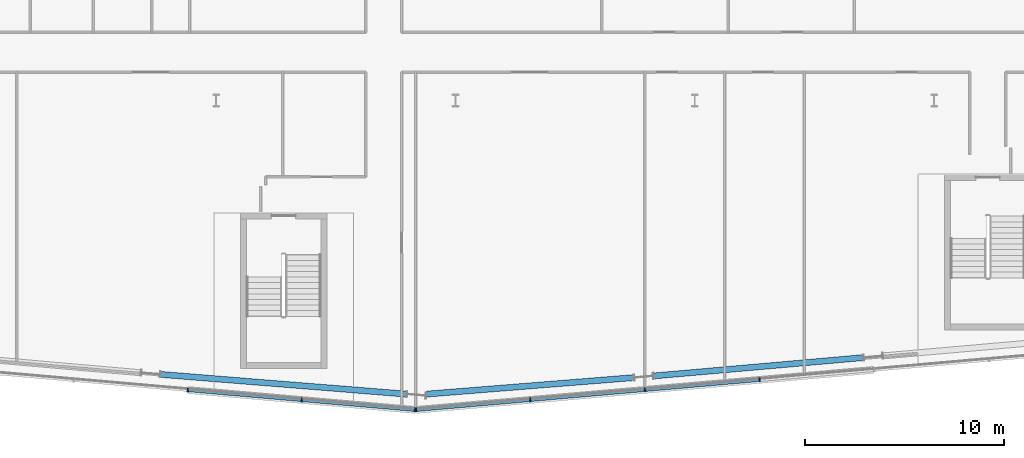
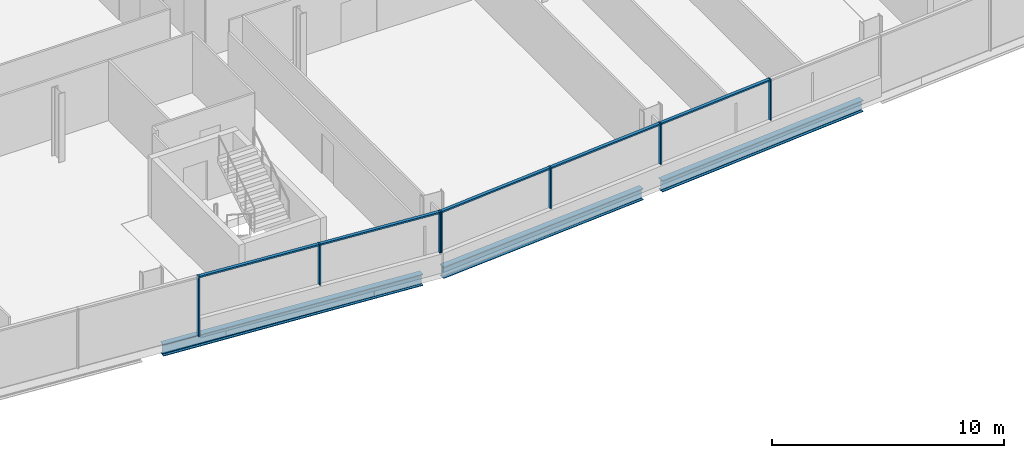
# One storey, part 6 of 24: 12 members, 3 beams, 2 elements without a shape of their own.
"""IFC4 building model written with IfcOpenShell, lengths in metres."""

from ifc_helpers import new_model, si_unit, direction, frame, origin, origin_2d, place, context, subcontext, project, spatial, rectangle, i_section, extrude, material, material_profile, profile_set, type_object, element, aggregate, save


model = new_model("IFC4")

# Units and contexts
model_context = context("Model", 3, precision=1e-05, world=origin(), true_north=direction((0.0, 1.0)))
body_context = subcontext(model_context, "Body", "Model", "MODEL_VIEW")
ifc_project = project(units=[si_unit("LENGTHUNIT", "METRE"), si_unit("AREAUNIT", "SQUARE_METRE"), si_unit("VOLUMEUNIT", "CUBIC_METRE"), si_unit("PLANEANGLEUNIT", "RADIAN"), si_unit("MASSUNIT", "GRAM", prefix="KILO")], contexts=[model_context])

# Site, building, storey
site_placement = place(None, origin())
site = spatial("IfcSite", under=ifc_project, at=site_placement, CompositionType="ELEMENT")
building_placement = place(site_placement, origin())
building = spatial("IfcBuilding", under=site, at=building_placement, Name="Wharfspan Tower", CompositionType="ELEMENT")
storey_placement = place(building_placement, frame((0.0, 0.0, 88.300049)))
storey = spatial("IfcBuildingStorey", under=building, at=storey_placement, Name="L19", CompositionType="ELEMENT", Elevation=88.300049)

# Beams
ifc_material_1 = material(Name="Steel S355J2", Category="steel")
ifc_material_profile_1 = material_profile(ifc_material_1, i_section(OverallWidth=0.300049, OverallDepth=0.600098, WebThickness=0.015381, FlangeThickness=0.030029, FilletRadius=0.0271, at=origin_2d()))
ifc_profile_set_1 = profile_set([ifc_material_profile_1], Name="Steel S355J2")
beam_type = type_object("IfcBeamType", Name="Edge beam HEB 600", PredefinedType="SPANDREL", material=ifc_profile_set_1)
beam_1_placement = place(storey_placement, frame((33.222656, -2.240479, -0.699951), z_axis=(0.996802, -0.079913, 0.0), x_axis=(0.079913, 0.996802, 0.0)))
element("IfcBeam", 1, at=beam_1_placement, inside=storey, type_object=beam_type, Name="Edge beam S1 L19 PS1.3 to PS1.4", PredefinedType="SPANDREL", context=body_context, shape_type="SweptSolid", body=[
    extrude(i_section(OverallWidth=0.300049, OverallDepth=0.600098, WebThickness=0.015381, FlangeThickness=0.030029, FilletRadius=0.0271, at=origin_2d()), origin(), (0.0, 0.0, 1.0), 12.36084),
])
beam_2_placement = place(storey_placement, frame((46.547852, -3.228027, -0.699951), z_axis=(0.996848, 0.079335, 0.0), x_axis=(-0.079335, 0.996848, 0.0)))
element("IfcBeam", 2, at=beam_2_placement, inside=storey, type_object=beam_type, Name="Edge beam S2 L19 PS1.4 to PS2.1", PredefinedType="SPANDREL", context=body_context, shape_type="SweptSolid", body=[
    extrude(i_section(OverallWidth=0.300049, OverallDepth=0.600098, WebThickness=0.015381, FlangeThickness=0.030029, FilletRadius=0.0271, at=origin_2d()), origin(), (0.0, 0.0, 1.0), 10.429199),
])
beam_3_placement = place(storey_placement, frame((57.940674, -2.317383, -0.699951), z_axis=(0.996195, 0.087155, 0.0), x_axis=(-0.087155, 0.996195, 0.0)))
element("IfcBeam", 3, at=beam_3_placement, inside=storey, type_object=beam_type, Name="Edge beam S2 L19 PS2.1 to PS2.2", PredefinedType="SPANDREL", context=body_context, shape_type="SweptSolid", body=[
    extrude(i_section(OverallWidth=0.300049, OverallDepth=0.600098, WebThickness=0.015381, FlangeThickness=0.030029, FilletRadius=0.0271, at=origin_2d()), origin(), (0.0, 0.0, 1.0), 10.543701),
])

# Curtain wall, members
ifc_material_2 = material(Name="Aluminium 6063-T6", Category="aluminium")
curtain_wall_type = type_object("IfcCurtainWallType", Name="CURTAIN WALL FACETED FRONT", PredefinedType="NOTDEFINED", material=ifc_material_2)
curtain_wall_1_placement = place(storey_placement, origin())
curtain_wall_1 = element("IfcCurtainWall", 4, at=curtain_wall_1_placement, inside=storey, type_object=curtain_wall_type, Name="Curtain wall S1", PredefinedType="NOTDEFINED")
ifc_material_profile_2 = material_profile(ifc_material_2, rectangle(XDim=0.199951, YDim=0.060059, at=origin_2d()))
ifc_profile_set_2 = profile_set([ifc_material_profile_2], Name="Aluminium 6063-T6")
member_type_1 = type_object("IfcMemberType", Name="MULLION FACETED FRONT 60x200", PredefinedType="MULLION", material=ifc_profile_set_2)
member_1_placement = place(storey_placement, frame((34.571533, -3.024658, 0.0), z_axis=(0.0, 0.0, 1.0), x_axis=(0.087156, 0.996197, 0.0)))
member_1 = element("IfcMember", 5, at=member_1_placement, type_object=member_type_1, Name="Curtain wall S1 mullion 6", PredefinedType="MULLION", context=body_context, shape_type="SweptSolid", body=[
    extrude(rectangle(XDim=0.199951, YDim=0.060059, at=origin_2d()), origin(), (0.0, 0.0, 1.0), 3.149902),
])
member_2_placement = place(storey_placement, frame((40.285645, -3.524658, 1.0), z_axis=(0.0, 0.0, 1.0), x_axis=(0.087156, 0.996197, 0.0)))
member_2 = element("IfcMember", 6, at=member_2_placement, type_object=member_type_1, Name="Curtain wall S1 mullion 7", PredefinedType="MULLION", context=body_context, shape_type="SweptSolid", body=[
    extrude(rectangle(XDim=0.199951, YDim=0.060059, at=origin_2d()), origin(), (0.0, 0.0, 1.0), 2.149902),
])
member_3_placement = place(storey_placement, frame((45.970215, -4.021973, 1.0), z_axis=(0.0, 0.0, 1.0), x_axis=(0.087156, 0.996197, 0.0)))
member_3 = element("IfcMember", 7, at=member_3_placement, type_object=member_type_1, Name="Curtain wall S1 mullion 8", PredefinedType="MULLION", context=body_context, shape_type="SweptSolid", body=[
    extrude(rectangle(XDim=0.199951, YDim=0.060059, at=origin_2d()), origin(), (0.0, 0.0, 1.0), 2.149902),
])

curtain_wall_2_placement = place(storey_placement, origin())
curtain_wall_2 = element("IfcCurtainWall", 8, at=curtain_wall_2_placement, inside=storey, type_object=curtain_wall_type, Name="Curtain wall S2", PredefinedType="NOTDEFINED")
member_4_placement = place(storey_placement, frame((46.029785, -4.021973, 1.0), z_axis=(0.0, 0.0, 1.0), x_axis=(-0.087156, 0.996197, 0.0)))
member_4 = element("IfcMember", 9, at=member_4_placement, type_object=member_type_1, Name="Curtain wall S2 mullion 1", PredefinedType="MULLION", context=body_context, shape_type="SweptSolid", body=[
    extrude(rectangle(XDim=0.199951, YDim=0.060059, at=origin_2d()), origin(), (0.0, 0.0, 1.0), 2.149902),
])
member_5_placement = place(storey_placement, frame((51.75, -3.521484, 1.0), z_axis=(0.0, 0.0, 1.0), x_axis=(-0.087156, 0.996197, 0.0)))
member_5 = element("IfcMember", 10, at=member_5_placement, type_object=member_type_1, Name="Curtain wall S2 mullion 2", PredefinedType="MULLION", context=body_context, shape_type="SweptSolid", body=[
    extrude(rectangle(XDim=0.199951, YDim=0.060059, at=origin_2d()), origin(), (0.0, 0.0, 1.0), 2.149902),
])
member_6_placement = place(storey_placement, frame((57.5, -3.018311, 1.0), z_axis=(0.0, 0.0, 1.0), x_axis=(-0.087156, 0.996197, 0.0)))
member_6 = element("IfcMember", 11, at=member_6_placement, type_object=member_type_1, Name="Curtain wall S2 mullion 3", PredefinedType="MULLION", context=body_context, shape_type="SweptSolid", body=[
    extrude(rectangle(XDim=0.199951, YDim=0.060059, at=origin_2d()), origin(), (0.0, 0.0, 1.0), 2.149902),
])
member_7_placement = place(storey_placement, frame((63.25, -2.515381, 1.0), z_axis=(0.0, 0.0, 1.0), x_axis=(-0.087156, 0.996197, 0.0)))
member_7 = element("IfcMember", 12, at=member_7_placement, type_object=member_type_1, Name="Curtain wall S2 mullion 4", PredefinedType="MULLION", context=body_context, shape_type="SweptSolid", body=[
    extrude(rectangle(XDim=0.199951, YDim=0.060059, at=origin_2d()), origin(), (0.0, 0.0, 1.0), 2.149902),
])

# Member
ifc_material_profile_3 = material_profile(ifc_material_2, rectangle(XDim=0.159912, YDim=0.080078, at=origin_2d()))
ifc_profile_set_3 = profile_set([ifc_material_profile_3], Name="Aluminium 6063-T6")
member_type_2 = type_object("IfcMemberType", Name="TRANSOM FACETED FRONT 80x160", PredefinedType="USERDEFINED", material=ifc_profile_set_3)
member_8_placement = place(storey_placement, frame((34.601318, -3.027344, 3.109863), z_axis=(0.996196, -0.087142, 0.0), x_axis=(0.087142, 0.996196, 0.0)))
member_8 = element("IfcMember", 13, at=member_8_placement, type_object=member_type_2, Name="Curtain wall S1 transom 6", ObjectType="TRANSOM", PredefinedType="USERDEFINED", context=body_context, shape_type="SweptSolid", body=[
    extrude(rectangle(XDim=0.159912, YDim=0.080078, at=origin_2d()), origin(), (0.0, 0.0, 1.0), 5.676025),
])

member_9_placement = place(storey_placement, frame((40.315674, -3.5271, 3.109863), z_axis=(0.996193, -0.087174, 0.0), x_axis=(0.087174, 0.996193, 0.0)))
member_9 = element("IfcMember", 14, at=member_9_placement, type_object=member_type_2, Name="Curtain wall S1 transom 7", ObjectType="TRANSOM", PredefinedType="USERDEFINED", context=body_context, shape_type="SweptSolid", body=[
    extrude(rectangle(XDim=0.159912, YDim=0.080078, at=origin_2d()), origin(), (0.0, 0.0, 1.0), 5.645996),
])

aggregate(curtain_wall_1, [member_1, member_2, member_3, member_8, member_9])

member_10_placement = place(storey_placement, frame((46.059814, -4.019287, 3.109863), z_axis=(0.996193, 0.08718, 0.0), x_axis=(-0.08718, 0.996193, 0.0)))
member_10 = element("IfcMember", 15, at=member_10_placement, type_object=member_type_2, Name="Curtain wall S2 transom 1", ObjectType="TRANSOM", PredefinedType="USERDEFINED", context=body_context, shape_type="SweptSolid", body=[
    extrude(rectangle(XDim=0.159912, YDim=0.080078, at=origin_2d()), origin(), (0.0, 0.0, 1.0), 5.682129),
])

member_11_placement = place(storey_placement, frame((51.779785, -3.518799, 3.109863), z_axis=(0.996195, 0.087148, 0.0), x_axis=(-0.087148, 0.996195, 0.0)))
member_11 = element("IfcMember", 16, at=member_11_placement, type_object=member_type_2, Name="Curtain wall S2 transom 2", ObjectType="TRANSOM", PredefinedType="USERDEFINED", context=body_context, shape_type="SweptSolid", body=[
    extrude(rectangle(XDim=0.159912, YDim=0.080078, at=origin_2d()), origin(), (0.0, 0.0, 1.0), 5.712158),
])

member_12_placement = place(storey_placement, frame((57.529785, -3.015625, 3.109863), z_axis=(0.996195, 0.087148, 0.0), x_axis=(-0.087148, 0.996195, 0.0)))
member_12 = element("IfcMember", 17, at=member_12_placement, type_object=member_type_2, Name="Curtain wall S2 transom 3", ObjectType="TRANSOM", PredefinedType="USERDEFINED", context=body_context, shape_type="SweptSolid", body=[
    extrude(rectangle(XDim=0.159912, YDim=0.080078, at=origin_2d()), origin(), (0.0, 0.0, 1.0), 5.712158),
])

aggregate(curtain_wall_2, [member_4, member_5, member_6, member_7, member_10, member_11, member_12])

save(model, "model.ifc")
